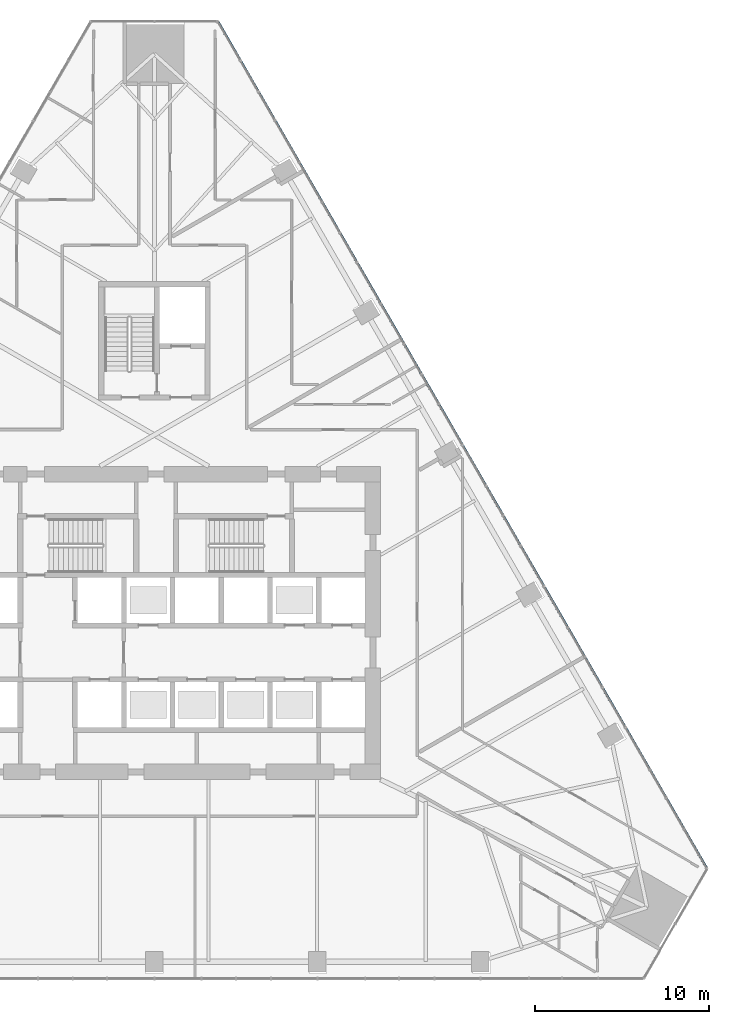
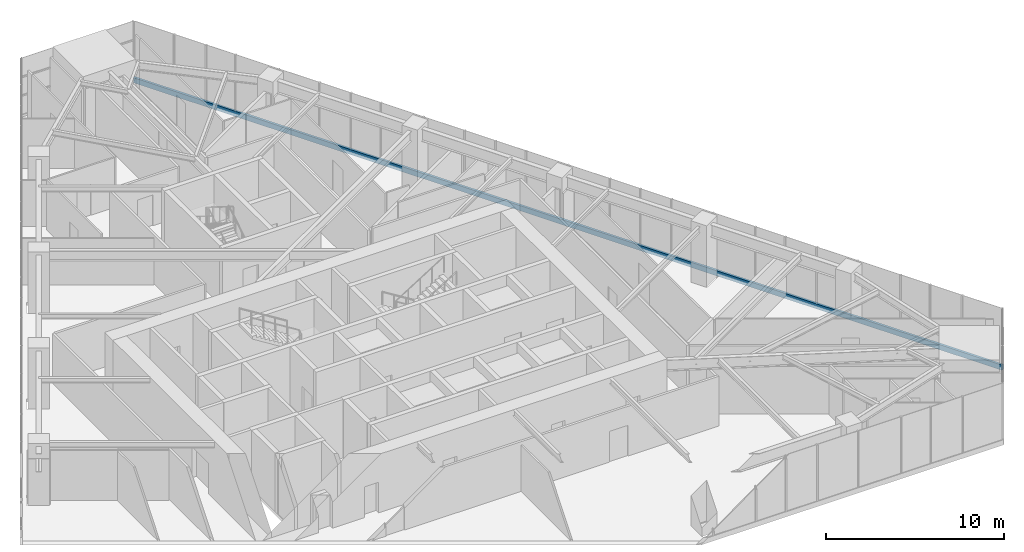
# One storey, part 8 of 19: 1 member, 1 element without a shape of its own.
"""IFC4 building model written with IfcOpenShell, lengths in metres."""

from ifc_helpers import new_model, si_unit, direction, frame, origin, origin_2d, place, context, subcontext, project, spatial, rectangle, extrude, material, layer, layer_set, material_profile, profile_set, type_object, element, aggregate, save


model = new_model("IFC4")

# Units and contexts
model_context = context("Model", 3, precision=1e-05, world=origin(), true_north=direction((0.0, 1.0)))
body_context = subcontext(model_context, "Body", "Model", "MODEL_VIEW")
ifc_project = project(units=[si_unit("LENGTHUNIT", "METRE"), si_unit("AREAUNIT", "SQUARE_METRE"), si_unit("VOLUMEUNIT", "CUBIC_METRE"), si_unit("PLANEANGLEUNIT", "RADIAN"), si_unit("MASSUNIT", "GRAM", prefix="KILO")], contexts=[model_context])

# Site, building, storey
site_placement = place(None, origin())
site = spatial("IfcSite", under=ifc_project, at=site_placement, CompositionType="ELEMENT")
building_placement = place(site_placement, origin())
building = spatial("IfcBuilding", under=site, at=building_placement, Name="Firuza Gate Tower and Library", CompositionType="ELEMENT")
storey_placement = place(building_placement, frame((0.0, 0.0, 103.0)))
storey = spatial("IfcBuildingStorey", under=building, at=storey_placement, Name="L23", CompositionType="ELEMENT", Elevation=103.0)

# Curtain wall, member
ifc_material_1 = material(Name="Aluminium 6063-T6", Category="aluminium")
ifc_layer = layer(ifc_material_1, 0.14990234375)
ifc_layer_set = layer_set([ifc_layer], Name="Unitised curtain wall, offices")
curtain_wall_type = type_object("IfcCurtainWallType", Name="Unitised curtain wall, offices", PredefinedType="NOTDEFINED", material=ifc_layer_set)
curtain_wall_placement = place(storey_placement, origin())
curtain_wall = element("IfcCurtainWall", 1, at=curtain_wall_placement, inside=storey, type_object=curtain_wall_type, Name="CW1 L23 E face", PredefinedType="NOTDEFINED")
ifc_material_2 = material(Name="Aluminium 6063-T6", Category="aluminium")
ifc_material_profile = material_profile(ifc_material_2, rectangle(XDim=0.14990234375, YDim=0.35009765625, at=origin_2d()))
ifc_profile_set = profile_set([ifc_material_profile], Name="Aluminium 6063-T6")
member_type = type_object("IfcMemberType", Name="Curtain wall transom 350x150", PredefinedType="USERDEFINED", material=ifc_profile_set)
member_placement = place(storey_placement, frame((106.749267578125, 60.87646484375, -0.02490234375), z_axis=(-0.500000287872, 0.866025237581, 0.0), x_axis=(-0.866025237581, -0.500000287872, 0.0)))
member = element("IfcMember", 2, at=member_placement, type_object=member_type, Name="Transom", ObjectType="TRANSOM", PredefinedType="USERDEFINED", context=body_context, shape_type="SweptSolid", body=[
    extrude(rectangle(XDim=0.14990234375, YDim=0.35009765625, at=origin_2d()), origin(), (0.0, 0.0, 1.0), 56.2119140625),
])
aggregate(curtain_wall, [member])

save(model, "model.ifc")
